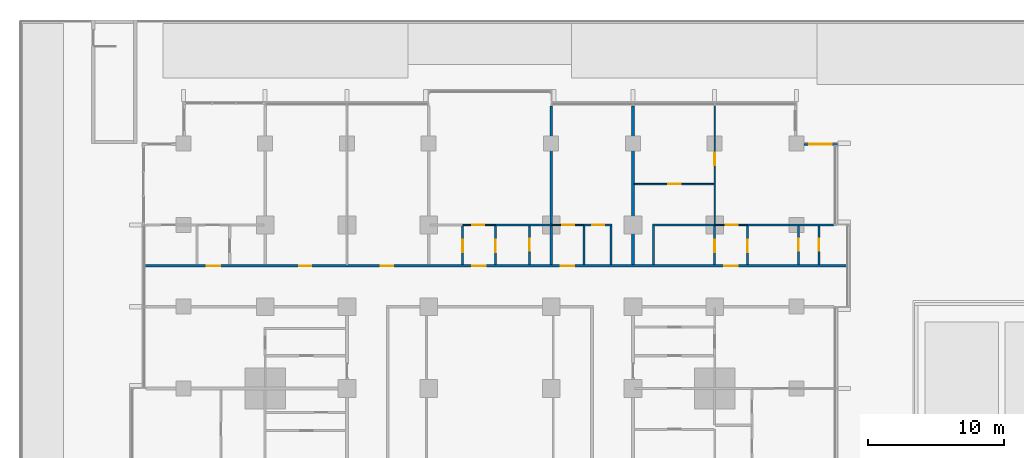
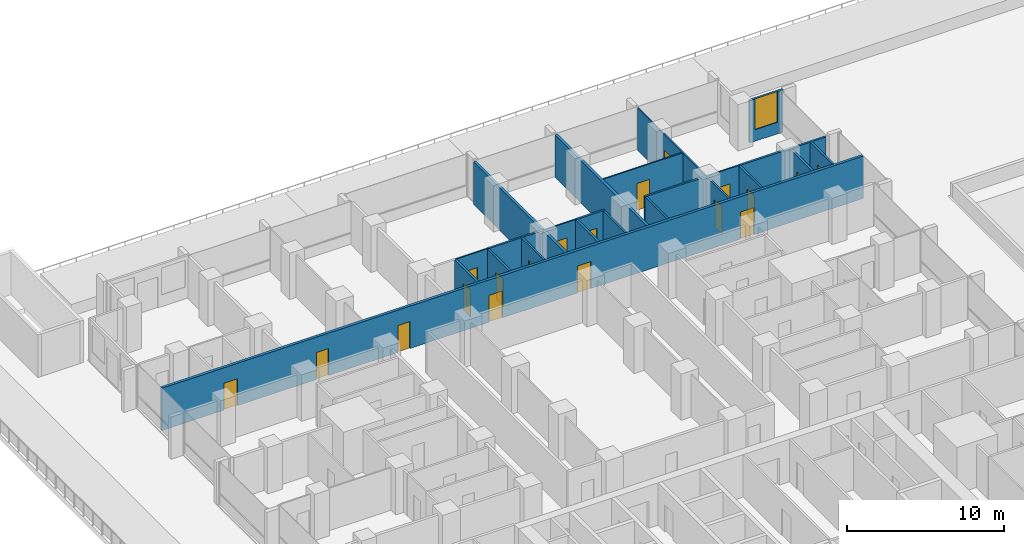
# One storey, part 15 of 25: 24 walls, 19 doors, 1 window, 20 openings.
"""IFC4 building model written with IfcOpenShell, lengths in metres."""

import ifcopenshell
import ifcopenshell.guid

model = None  # the IFC model being written
_history = None  # IfcOwnerHistory: only IFC2X3 demands one
_inside = {}  # id of a spatial element -> (the spatial element, [elements in it])
_under = {}  # id of a project, library or spatial element -> (it, [spatial elements below it])
_declared = {}  # id of a project -> (the project, [libraries it declares])
_typed = {}  # id of a type object -> (the type object, [elements of that type])
_made_of = {}  # id of a material, layer set ... -> (it, [elements and type objects made of it])


def new_model(schema):
    """Start an empty IFC model of exactly this schema.

    Asked for "IFC4X3", IfcOpenShell would pick the latest addendum, in which some entities
    have other attributes; the version numbers below select the first issue.
    IFC2X3 requires an IfcOwnerHistory on every rooted entity: one is made here for all.
    """
    global model, _history
    if schema == "IFC4X3":
        model = ifcopenshell.file(schema_version=(4, 3, 0, 0))
    else:
        model = ifcopenshell.file(schema=schema)
    _inside.clear()
    _under.clear()
    _declared.clear()
    _typed.clear()
    _made_of.clear()
    _history = None
    if model.schema == "IFC2X3":
        org = make("IfcOrganization", Name="unknown")
        user = make(
            "IfcPersonAndOrganization",
            ThePerson=make("IfcPerson", FamilyName="unknown"),
            TheOrganization=org,
        )
        app = make(
            "IfcApplication",
            ApplicationDeveloper=org,
            Version="unknown",
            ApplicationFullName="unknown",
            ApplicationIdentifier="unknown",
        )
        _history = make(
            "IfcOwnerHistory",
            OwningUser=user,
            OwningApplication=app,
            ChangeAction="ADDED",
            CreationDate=0,
        )
    return model


def make(cls, **values):
    """One entity of the class cls with the attributes given. An attribute that is None is left unset."""
    return model.create_entity(
        cls, **{name: value for name, value in values.items() if value is not None}
    )


def rooted(cls, **values):
    """An entity with a GlobalId (a new one), such as an element, a storey or a relation."""
    return make(cls, GlobalId=ifcopenshell.guid.new(), OwnerHistory=_history, **values)


def si_unit(unit_type, name, prefix=None):
    """IfcSIUnit, for example si_unit("LENGTHUNIT", "METRE", prefix="MILLI")."""
    return make("IfcSIUnit", UnitType=unit_type, Prefix=prefix, Name=name)


def assignment(units):
    """IfcUnitAssignment: the units of a project."""
    return None if units is None else make("IfcUnitAssignment", Units=units)


def point(xyz):
    """IfcCartesianPoint."""
    return None if xyz is None else make("IfcCartesianPoint", Coordinates=xyz)


def direction(xyz):
    """IfcDirection."""
    return None if xyz is None else make("IfcDirection", DirectionRatios=xyz)


def frame(location, z_axis=None, x_axis=None):
    """IfcAxis2Placement3D, a coordinate frame: its origin and axes. An axis left out is left unset."""
    return make(
        "IfcAxis2Placement3D",
        Location=point(location),
        Axis=direction(z_axis),
        RefDirection=direction(x_axis),
    )


def frame_2d(location, x_axis=None):
    """IfcAxis2Placement2D, a coordinate frame in the plane: its origin and x axis."""
    return make(
        "IfcAxis2Placement2D", Location=point(location), RefDirection=direction(x_axis)
    )


def origin():
    """The frame at (0, 0, 0) with its axes left unset."""
    return frame((0.0, 0.0, 0.0))


def place(relative_to, where):
    """IfcLocalPlacement: puts the frame where relative to a parent placement (None: the world)."""
    return make(
        "IfcLocalPlacement", PlacementRelTo=relative_to, RelativePlacement=where
    )


def context(
    kind, dimensions, precision=None, world=None, true_north=None, identifier=None
):
    """IfcGeometricRepresentationContext, for example the 3D "Model" context."""
    return make(
        "IfcGeometricRepresentationContext",
        ContextIdentifier=identifier,
        ContextType=kind,
        CoordinateSpaceDimension=dimensions,
        Precision=precision,
        WorldCoordinateSystem=world,
        TrueNorth=true_north,
    )


def subcontext(parent, identifier, kind, view, scale=None):
    """IfcGeometricRepresentationSubContext, for example "Body" below "Model"."""
    return make(
        "IfcGeometricRepresentationSubContext",
        ContextIdentifier=identifier,
        ContextType=kind,
        ParentContext=parent,
        TargetScale=scale,
        TargetView=view,
    )


def project(units=None, contexts=None):
    """IfcProject with its units and contexts."""
    return rooted(
        "IfcProject",
        Name="project",
        RepresentationContexts=contexts,
        UnitsInContext=assignment(units),
    )


def spatial(cls, under=None, at=None, **own):
    """A site, building, storey or space (cls), placed at a placement, below another one or the project."""
    s = rooted(cls, ObjectPlacement=at, **own)
    if under is not None:
        _under.setdefault(under.id(), (under, []))[1].append(s)
    return s


def profile(cls, at=None, kind="AREA", **sizes):
    """A parametric profile (cls). Its sizes go by their IFC names, for example OverallWidth=200.0."""
    return make(cls, ProfileType=kind, Position=at, **sizes)


def rectangle(**sizes):
    """IfcRectangleProfileDef."""
    return profile("IfcRectangleProfileDef", **sizes)


def extrude(swept, where, along, depth):
    """IfcExtrudedAreaSolid: the profile swept, set in the frame where, extruded along a direction by depth."""
    return make(
        "IfcExtrudedAreaSolid",
        SweptArea=swept,
        Position=where,
        ExtrudedDirection=direction(along),
        Depth=depth,
    )


def shape(context_of_items, identifier, shape_type, items):
    """IfcShapeRepresentation: the items that make up one representation, for example the "Body"."""
    return make(
        "IfcShapeRepresentation",
        ContextOfItems=context_of_items,
        RepresentationIdentifier=identifier,
        RepresentationType=shape_type,
        Items=items,
    )


def material(Name=None, Category=None):
    """IfcMaterial."""
    return make("IfcMaterial", Name=Name, Category=Category)


def layer(
    of_material, thickness, ventilated=None, Name=None, Category=None, Priority=None
):
    """IfcMaterialLayer: one layer of a wall or slab, of a material (None: an air gap)."""
    return make(
        "IfcMaterialLayer",
        Material=of_material,
        LayerThickness=thickness,
        IsVentilated=ventilated,
        Name=Name,
        Category=Category,
        Priority=Priority,
    )


def layer_set(layers, Name=None):
    """IfcMaterialLayerSet."""
    return make("IfcMaterialLayerSet", MaterialLayers=layers, LayerSetName=Name)


def made_of(thing, what):
    """Note that an element or type object is made of a material, layer set ...; save() writes the relation."""
    if what is not None:
        _made_of.setdefault(what.id(), (what, []))[1].append(thing)
    return thing


def type_object(cls, material=None, **own):
    """A type object (cls), such as IfcWallType, which elements share."""
    return made_of(rooted(cls, **own), material)


def element(
    cls,
    number,
    at=None,
    inside=None,
    cuts=None,
    type_object=None,
    material=None,
    context=None,
    identifier="Body",
    shape_type=None,
    held_by="IfcProductDefinitionShape",
    body=None,
    shapes=None,
    **own,
):
    """One element of the class cls, such as IfcWall. Its Tag is "e" and its number.

    at: its placement. inside: the storey or other place that contains it. cuts: it is an
    opening in that element (IfcRelVoidsElement). A single representation is given by context,
    identifier, shape_type and body (its items); several are given by shapes. held_by: the class
    of the entity that holds the representations. save() writes the other relations.
    """
    e = rooted(cls, Tag="e%d" % number, ObjectPlacement=at, **own)
    if body is not None:
        shapes = [shape(context, identifier, shape_type, body)]
    if shapes is not None:
        e.Representation = make(held_by, Representations=shapes)
    if inside is not None:
        _inside.setdefault(inside.id(), (inside, []))[1].append(e)
    if cuts is not None:
        rooted(
            "IfcRelVoidsElement", RelatingBuildingElement=cuts, RelatedOpeningElement=e
        )
    if type_object is not None:
        _typed.setdefault(type_object.id(), (type_object, []))[1].append(e)
    return made_of(e, material)


def fill(opening, filler):
    """IfcRelFillsElement: the door or window that sits in an opening."""
    return rooted(
        "IfcRelFillsElement",
        RelatingOpeningElement=opening,
        RelatedBuildingElement=filler,
    )


def aggregate(whole, parts):
    """IfcRelAggregates: a whole, such as a stair, and the parts it consists of."""
    return rooted("IfcRelAggregates", RelatingObject=whole, RelatedObjects=parts)


def save(model, path):
    """Write the relations noted so far, then the file.

    IfcRelAggregates (storeys below a building ...), IfcRelContainedInSpatialStructure (elements
    in a storey), IfcRelDefinesByType, IfcRelAssociatesMaterial and IfcRelDeclares: one each for
    every whole, place, type object, material and project.
    """
    for whole, parts in _under.values():
        aggregate(whole, parts)
    for where, things in _inside.values():
        rooted(
            "IfcRelContainedInSpatialStructure",
            RelatedElements=things,
            RelatingStructure=where,
        )
    for kind, things in _typed.values():
        rooted("IfcRelDefinesByType", RelatedObjects=things, RelatingType=kind)
    for what, things in _made_of.values():
        rooted("IfcRelAssociatesMaterial", RelatedObjects=things, RelatingMaterial=what)
    for by, libraries in _declared.values():
        rooted("IfcRelDeclares", RelatingContext=by, RelatedDefinitions=libraries)
    model.write(path)


model = new_model("IFC4")

# Units and contexts
model_context = context("Model", 3, precision=1e-05, world=origin(), true_north=direction((0.0, 1.0)))
body_context = subcontext(model_context, "Body", "Model", "MODEL_VIEW")
ifc_project = project(units=[si_unit("LENGTHUNIT", "METRE"), si_unit("AREAUNIT", "SQUARE_METRE"), si_unit("VOLUMEUNIT", "CUBIC_METRE"), si_unit("PLANEANGLEUNIT", "RADIAN"), si_unit("MASSUNIT", "GRAM", prefix="KILO")], contexts=[model_context])

# Site, building, storey
site_placement = place(None, origin())
site = spatial("IfcSite", under=ifc_project, at=site_placement, CompositionType="ELEMENT")
building_placement = place(site_placement, origin())
building = spatial("IfcBuilding", under=site, at=building_placement, Name="Finial Court Residences", CompositionType="ELEMENT")
storey_placement = place(building_placement, frame((0.0, 0.0, 32.5)))
storey = spatial("IfcBuildingStorey", under=building, at=storey_placement, Name="L06", CompositionType="ELEMENT", Elevation=32.5)

# Walls
ifc_material_1 = material(Name="Gypsum board")
ifc_layer_1 = layer(ifc_material_1, 0.02490234375)
ifc_material_2 = material(Name="Acoustic mineral wool in double frame")
ifc_layer_2 = layer(ifc_material_2, 0.14990234375)
ifc_layer_3 = layer(ifc_material_1, 0.02490234375)
ifc_layer_set_1 = layer_set([ifc_layer_1, ifc_layer_2, ifc_layer_3], Name="Acoustic party wall 200, 1 hour")
wall_type_1 = type_object("IfcWallType", Name="Acoustic party wall 200, 1 hour", PredefinedType="PARTITIONING", material=ifc_layer_set_1)
wall_1_placement = place(storey_placement, frame((4.5, 16.60009765625, 0.0), z_axis=(0.0, 0.0, 1.0), x_axis=(0.0, 1.0, 0.0)))
element("IfcWall", 1, at=wall_1_placement, inside=storey, type_object=wall_type_1, Name="Partition L06-069", PredefinedType="PARTITIONING", context=body_context, shape_type="SweptSolid", body=[
    extrude(rectangle(XDim=2.824951171875, YDim=0.199951171875, at=frame_2d((1.41259765625, 0.0))), origin(), (0.0, 0.0, 1.0), 3.300048828125),
])
wall_2_placement = place(storey_placement, frame((4.5, 19.574951171875, 0.0), z_axis=(0.0, 0.0, 1.0), x_axis=(0.0, 1.0, 0.0)))
element("IfcWall", 2, at=wall_2_placement, inside=storey, type_object=wall_type_1, Name="Partition L06-070", PredefinedType="PARTITIONING", context=body_context, shape_type="SweptSolid", body=[
    extrude(rectangle(XDim=8.675048828125, YDim=0.199951171875, at=frame_2d((4.33740234375, 0.0))), origin(), (0.0, 0.0, 1.0), 3.300048828125),
])
wall_3_placement = place(storey_placement, frame((10.5, 16.60009765625, 0.0), z_axis=(0.0, 0.0, 1.0), x_axis=(0.0, 1.0, 0.0)))
element("IfcWall", 3, at=wall_3_placement, inside=storey, type_object=wall_type_1, Name="Partition L06-076", PredefinedType="PARTITIONING", context=body_context, shape_type="SweptSolid", body=[
    extrude(rectangle(XDim=11.64990234375, YDim=0.199951171875, at=frame_2d((5.824951171875, 0.0))), origin(), (0.0, 0.0, 1.0), 3.300048828125),
])

# Wall, openings, doors
ifc_layer_4 = layer(ifc_material_1, 0.02490234375)
ifc_layer_5 = layer(ifc_material_2, 0.14990234375)
ifc_layer_6 = layer(ifc_material_1, 0.02490234375)
ifc_layer_set_2 = layer_set([ifc_layer_4, ifc_layer_5, ifc_layer_6], Name="Corridor wall 200, 1 hour")
wall_type_2 = type_object("IfcWallType", Name="Corridor wall 200, 1 hour", PredefinedType="PARTITIONING", material=ifc_layer_set_2)
wall_4_placement = place(storey_placement, frame((-25.35009765625, 16.5, 0.0), z_axis=(0.0, 0.0, 1.0), x_axis=(1.0, 0.0, 0.0)))
wall_4 = element("IfcWall", 4, at=wall_4_placement, inside=storey, type_object=wall_type_2, Name="Partition L06-034", PredefinedType="PARTITIONING", context=body_context, shape_type="SweptSolid", body=[
    extrude(rectangle(XDim=51.60009765625, YDim=0.199951171875, at=frame_2d((25.800048828125, 0.0))), origin(), (0.0, 0.0, 1.0), 3.300048828125),
])
opening_1_placement = place(wall_4_placement, frame((4.550048828125, 0.0, 0.0)))
opening_1 = element("IfcOpeningElement", 5, at=opening_1_placement, cuts=wall_4, Name="Opening L06-D022", PredefinedType="OPENING", context=body_context, shape_type="SweptSolid", body=[
    extrude(rectangle(XDim=1.0, YDim=2.10009765625, at=frame_2d((0.5, 1.050048828125))), frame((0.0, 0.10986328125, 0.0), z_axis=(0.0, -1.0, 0.0), x_axis=(1.0, 0.0, 0.0)), (0.0, 0.0, 1.0), 0.219970703125),
])
opening_2_placement = place(wall_4_placement, frame((11.35009765625, 0.0, 0.0)))
opening_2 = element("IfcOpeningElement", 6, at=opening_2_placement, cuts=wall_4, Name="Opening L06-D023", PredefinedType="OPENING", context=body_context, shape_type="SweptSolid", body=[
    extrude(rectangle(XDim=0.89990234375, YDim=2.10009765625, at=frame_2d((0.449951171875, 1.050048828125))), frame((0.0, 0.10986328125, 0.0), z_axis=(0.0, -1.0, 0.0), x_axis=(1.0, 0.0, 0.0)), (0.0, 0.0, 1.0), 0.219970703125),
])
opening_3_placement = place(wall_4_placement, frame((17.35009765625, 0.0, 0.0)))
opening_3 = element("IfcOpeningElement", 7, at=opening_3_placement, cuts=wall_4, Name="Opening L06-D024", PredefinedType="OPENING", context=body_context, shape_type="SweptSolid", body=[
    extrude(rectangle(XDim=0.89990234375, YDim=2.10009765625, at=frame_2d((0.449951171875, 1.050048828125))), frame((0.0, 0.10986328125, 0.0), z_axis=(0.0, -1.0, 0.0), x_axis=(1.0, 0.0, 0.0)), (0.0, 0.0, 1.0), 0.219970703125),
])
opening_4_placement = place(wall_4_placement, frame((24.050048828125, 0.0, 0.0)))
opening_4 = element("IfcOpeningElement", 8, at=opening_4_placement, cuts=wall_4, Name="Opening L06-D025", PredefinedType="OPENING", context=body_context, shape_type="SweptSolid", body=[
    extrude(rectangle(XDim=1.0, YDim=2.10009765625, at=frame_2d((0.5, 1.050048828125))), frame((0.0, 0.10986328125, 0.0), z_axis=(0.0, -1.0, 0.0), x_axis=(1.0, 0.0, 0.0)), (0.0, 0.0, 1.0), 0.219970703125),
])
opening_5_placement = place(wall_4_placement, frame((30.550048828125, 0.0, 0.0)))
opening_5 = element("IfcOpeningElement", 9, at=opening_5_placement, cuts=wall_4, Name="Opening L06-D026", PredefinedType="OPENING", context=body_context, shape_type="SweptSolid", body=[
    extrude(rectangle(XDim=1.0, YDim=2.10009765625, at=frame_2d((0.5, 1.050048828125))), frame((0.0, 0.10986328125, 0.0), z_axis=(0.0, -1.0, 0.0), x_axis=(1.0, 0.0, 0.0)), (0.0, 0.0, 1.0), 0.219970703125),
])
opening_6_placement = place(wall_4_placement, frame((42.550048828125, 0.0, 0.0)))
opening_6 = element("IfcOpeningElement", 10, at=opening_6_placement, cuts=wall_4, Name="Opening L06-D027", PredefinedType="OPENING", context=body_context, shape_type="SweptSolid", body=[
    extrude(rectangle(XDim=1.0, YDim=2.10009765625, at=frame_2d((0.5, 1.050048828125))), frame((0.0, 0.10986328125, 0.0), z_axis=(0.0, -1.0, 0.0), x_axis=(1.0, 0.0, 0.0)), (0.0, 0.0, 1.0), 0.219970703125),
])
ifc_material_3 = material(Name="Timber door leaf in hollow metal frame", Category="wood")
door_type_1 = type_object("IfcDoorType", Name="Fire door set 1000 x 2100, 30 minutes", OperationType="SINGLE_SWING_LEFT", PredefinedType="DOOR", material=ifc_material_3)
door_1_placement = place(opening_1_placement, origin())
door_1 = element("IfcDoor", 11, at=door_1_placement, inside=storey, type_object=door_type_1, Name="Door L06-D022", OperationType="SINGLE_SWING_RIGHT", OverallHeight=2.10009765625, OverallWidth=1.0, PredefinedType="DOOR", context=body_context, shape_type="SweptSolid", body=[
    extrude(rectangle(XDim=1.0, YDim=2.10009765625, at=frame_2d((0.5, 1.050048828125))), frame((0.0, 0.02490234375, 0.0), z_axis=(0.0, -1.0, 0.0), x_axis=(1.0, 0.0, 0.0)), (0.0, 0.0, 1.0), 0.050048828125),
])
fill(opening_1, door_1)
door_2_placement = place(opening_4_placement, origin())
door_2 = element("IfcDoor", 12, at=door_2_placement, inside=storey, type_object=door_type_1, Name="Door L06-D025", OperationType="SINGLE_SWING_RIGHT", OverallHeight=2.10009765625, OverallWidth=1.0, PredefinedType="DOOR", context=body_context, shape_type="SweptSolid", body=[
    extrude(rectangle(XDim=1.0, YDim=2.10009765625, at=frame_2d((0.5, 1.050048828125))), frame((0.0, 0.02490234375, 0.0), z_axis=(0.0, -1.0, 0.0), x_axis=(1.0, 0.0, 0.0)), (0.0, 0.0, 1.0), 0.050048828125),
])
fill(opening_4, door_2)
door_3_placement = place(opening_5_placement, origin())
door_3 = element("IfcDoor", 13, at=door_3_placement, inside=storey, type_object=door_type_1, Name="Door L06-D026", OperationType="SINGLE_SWING_LEFT", OverallHeight=2.10009765625, OverallWidth=1.0, PredefinedType="DOOR", context=body_context, shape_type="SweptSolid", body=[
    extrude(rectangle(XDim=1.0, YDim=2.10009765625, at=frame_2d((0.5, 1.050048828125))), frame((0.0, 0.02490234375, 0.0), z_axis=(0.0, -1.0, 0.0), x_axis=(1.0, 0.0, 0.0)), (0.0, 0.0, 1.0), 0.050048828125),
])
fill(opening_5, door_3)
door_4_placement = place(opening_6_placement, origin())
door_4 = element("IfcDoor", 14, at=door_4_placement, inside=storey, type_object=door_type_1, Name="Door L06-D027", OperationType="SINGLE_SWING_LEFT", OverallHeight=2.10009765625, OverallWidth=1.0, PredefinedType="DOOR", context=body_context, shape_type="SweptSolid", body=[
    extrude(rectangle(XDim=1.0, YDim=2.10009765625, at=frame_2d((0.5, 1.050048828125))), frame((0.0, 0.02490234375, 0.0), z_axis=(0.0, -1.0, 0.0), x_axis=(1.0, 0.0, 0.0)), (0.0, 0.0, 1.0), 0.050048828125),
])
fill(opening_6, door_4)
door_type_2 = type_object("IfcDoorType", Name="Fire door set 900 x 2100, 30 minutes", OperationType="SINGLE_SWING_LEFT", PredefinedType="DOOR", material=ifc_material_3)
door_5_placement = place(opening_2_placement, origin())
door_5 = element("IfcDoor", 15, at=door_5_placement, inside=storey, type_object=door_type_2, Name="Door L06-D023", OperationType="SINGLE_SWING_RIGHT", OverallHeight=2.10009765625, OverallWidth=0.89990234375, PredefinedType="DOOR", context=body_context, shape_type="SweptSolid", body=[
    extrude(rectangle(XDim=0.89990234375, YDim=2.10009765625, at=frame_2d((0.449951171875, 1.050048828125))), frame((0.0, 0.02490234375, 0.0), z_axis=(0.0, -1.0, 0.0), x_axis=(1.0, 0.0, 0.0)), (0.0, 0.0, 1.0), 0.050048828125),
])
fill(opening_2, door_5)
door_6_placement = place(opening_3_placement, origin())
door_6 = element("IfcDoor", 16, at=door_6_placement, inside=storey, type_object=door_type_2, Name="Door L06-D024", OperationType="SINGLE_SWING_RIGHT", OverallHeight=2.10009765625, OverallWidth=0.89990234375, PredefinedType="DOOR", context=body_context, shape_type="SweptSolid", body=[
    extrude(rectangle(XDim=0.89990234375, YDim=2.10009765625, at=frame_2d((0.449951171875, 1.050048828125))), frame((0.0, 0.02490234375, 0.0), z_axis=(0.0, -1.0, 0.0), x_axis=(1.0, 0.0, 0.0)), (0.0, 0.0, 1.0), 0.050048828125),
])
fill(opening_3, door_6)

# Wall, opening, door
ifc_layer_7 = layer(ifc_material_1, 0.012451171875)
ifc_material_4 = material(Name="Mineral wool in light-gauge frame")
ifc_layer_8 = layer(ifc_material_4, 0.074951171875)
ifc_layer_9 = layer(ifc_material_1, 0.012451171875)
ifc_layer_set_3 = layer_set([ifc_layer_7, ifc_layer_8, ifc_layer_9], Name="Gypsum board partition 100")
wall_type_3 = type_object("IfcWallType", Name="Gypsum board partition 100", PredefinedType="PARTITIONING", material=ifc_layer_set_3)
wall_5_placement = place(storey_placement, frame((-2.0, 19.5, 0.0), z_axis=(0.0, 0.0, 1.0), x_axis=(1.0, 0.0, 0.0)))
wall_5 = element("IfcWall", 17, at=wall_5_placement, inside=storey, type_object=wall_type_3, Name="Partition L06-036", PredefinedType="PARTITIONING", context=body_context, shape_type="SweptSolid", body=[
    extrude(rectangle(XDim=2.39990234375, YDim=0.10009765625, at=frame_2d((1.199951171875, 0.0))), origin(), (0.0, 0.0, 1.0), 3.300048828125),
])
opening_7_placement = place(wall_5_placement, frame((0.699951171875, 0.0, 0.0)))
opening_7 = element("IfcOpeningElement", 18, at=opening_7_placement, cuts=wall_5, Name="Opening L06-D029", PredefinedType="OPENING", context=body_context, shape_type="SweptSolid", body=[
    extrude(rectangle(XDim=0.89990234375, YDim=2.10009765625, at=frame_2d((0.449951171875, 1.050048828125))), frame((0.0, 0.06005859375, 0.0), z_axis=(0.0, -1.0, 0.0), x_axis=(1.0, 0.0, 0.0)), (0.0, 0.0, 1.0), 0.1201171875),
])
ifc_material_5 = material(Name="Timber door leaf in timber frame", Category="wood")
door_type_3 = type_object("IfcDoorType", Name="Door set 900 x 2100", OperationType="SINGLE_SWING_LEFT", PredefinedType="DOOR", material=ifc_material_5)
door_7_placement = place(opening_7_placement, origin())
door_7 = element("IfcDoor", 19, at=door_7_placement, inside=storey, type_object=door_type_3, Name="Door L06-D029", OperationType="SINGLE_SWING_RIGHT", OverallHeight=2.10009765625, OverallWidth=0.89990234375, PredefinedType="DOOR", context=body_context, shape_type="SweptSolid", body=[
    extrude(rectangle(XDim=0.89990234375, YDim=2.10009765625, at=frame_2d((0.449951171875, 1.050048828125))), frame((0.0, 0.02490234375, 0.0), z_axis=(0.0, -1.0, 0.0), x_axis=(1.0, 0.0, 0.0)), (0.0, 0.0, 1.0), 0.050048828125),
])
fill(opening_7, door_7)

wall_6_placement = place(storey_placement, frame((4.5, 19.5, 0.0), z_axis=(0.0, 0.0, 1.0), x_axis=(1.0, 0.0, 0.0)))
wall_6 = element("IfcWall", 20, at=wall_6_placement, inside=storey, type_object=wall_type_3, Name="Partition L06-037", PredefinedType="PARTITIONING", context=body_context, shape_type="SweptSolid", body=[
    extrude(rectangle(XDim=2.39990234375, YDim=0.10009765625, at=frame_2d((1.199951171875, 0.0))), origin(), (0.0, 0.0, 1.0), 3.300048828125),
])
opening_8_placement = place(wall_6_placement, frame((0.800048828125, 0.0, 0.0)))
opening_8 = element("IfcOpeningElement", 21, at=opening_8_placement, cuts=wall_6, Name="Opening L06-D030", PredefinedType="OPENING", context=body_context, shape_type="SweptSolid", body=[
    extrude(rectangle(XDim=0.89990234375, YDim=2.10009765625, at=frame_2d((0.449951171875, 1.050048828125))), frame((0.0, 0.06005859375, 0.0), z_axis=(0.0, -1.0, 0.0), x_axis=(1.0, 0.0, 0.0)), (0.0, 0.0, 1.0), 0.1201171875),
])
door_8_placement = place(opening_8_placement, origin())
door_8 = element("IfcDoor", 22, at=door_8_placement, inside=storey, type_object=door_type_3, Name="Door L06-D030", OperationType="SINGLE_SWING_LEFT", OverallHeight=2.10009765625, OverallWidth=0.89990234375, PredefinedType="DOOR", context=body_context, shape_type="SweptSolid", body=[
    extrude(rectangle(XDim=0.89990234375, YDim=2.10009765625, at=frame_2d((0.449951171875, 1.050048828125))), frame((0.0, 0.02490234375, 0.0), z_axis=(0.0, -1.0, 0.0), x_axis=(1.0, 0.0, 0.0)), (0.0, 0.0, 1.0), 0.050048828125),
])
fill(opening_8, door_8)

wall_7_placement = place(storey_placement, frame((16.5, 19.5, 0.0), z_axis=(0.0, 0.0, 1.0), x_axis=(1.0, 0.0, 0.0)))
wall_7 = element("IfcWall", 23, at=wall_7_placement, inside=storey, type_object=wall_type_3, Name="Partition L06-038", PredefinedType="PARTITIONING", context=body_context, shape_type="SweptSolid", body=[
    extrude(rectangle(XDim=2.39990234375, YDim=0.10009765625, at=frame_2d((1.199951171875, 0.0))), origin(), (0.0, 0.0, 1.0), 3.300048828125),
])
opening_9_placement = place(wall_7_placement, frame((0.800048828125, 0.0, 0.0)))
opening_9 = element("IfcOpeningElement", 24, at=opening_9_placement, cuts=wall_7, Name="Opening L06-D031", PredefinedType="OPENING", context=body_context, shape_type="SweptSolid", body=[
    extrude(rectangle(XDim=0.89990234375, YDim=2.10009765625, at=frame_2d((0.449951171875, 1.050048828125))), frame((0.0, 0.06005859375, 0.0), z_axis=(0.0, -1.0, 0.0), x_axis=(1.0, 0.0, 0.0)), (0.0, 0.0, 1.0), 0.1201171875),
])
door_9_placement = place(opening_9_placement, origin())
door_9 = element("IfcDoor", 25, at=door_9_placement, inside=storey, type_object=door_type_3, Name="Door L06-D031", OperationType="SINGLE_SWING_RIGHT", OverallHeight=2.10009765625, OverallWidth=0.89990234375, PredefinedType="DOOR", context=body_context, shape_type="SweptSolid", body=[
    extrude(rectangle(XDim=0.89990234375, YDim=2.10009765625, at=frame_2d((0.449951171875, 1.050048828125))), frame((0.0, 0.02490234375, 0.0), z_axis=(0.0, -1.0, 0.0), x_axis=(1.0, 0.0, 0.0)), (0.0, 0.0, 1.0), 0.050048828125),
])
fill(opening_9, door_9)

wall_8_placement = place(storey_placement, frame((10.60009765625, 22.5, 0.0), z_axis=(0.0, 0.0, 1.0), x_axis=(1.0, 0.0, 0.0)))
wall_8 = element("IfcWall", 26, at=wall_8_placement, inside=storey, type_object=wall_type_3, Name="Partition L06-046", PredefinedType="PARTITIONING", context=body_context, shape_type="SweptSolid", body=[
    extrude(rectangle(XDim=5.849853515625, YDim=0.10009765625, at=frame_2d((2.9248046875, 0.0))), origin(), (0.0, 0.0, 1.0), 3.300048828125),
])
opening_10_placement = place(wall_8_placement, frame((2.5, 0.0, 0.0)))
opening_10 = element("IfcOpeningElement", 27, at=opening_10_placement, cuts=wall_8, Name="Opening L06-D034", PredefinedType="OPENING", context=body_context, shape_type="SweptSolid", body=[
    extrude(rectangle(XDim=0.89990234375, YDim=2.10009765625, at=frame_2d((0.449951171875, 1.050048828125))), frame((0.0, 0.06005859375, 0.0), z_axis=(0.0, -1.0, 0.0), x_axis=(1.0, 0.0, 0.0)), (0.0, 0.0, 1.0), 0.1201171875),
])
door_10_placement = place(opening_10_placement, origin())
door_10 = element("IfcDoor", 28, at=door_10_placement, inside=storey, type_object=door_type_3, Name="Door L06-D034", OperationType="SINGLE_SWING_RIGHT", OverallHeight=2.10009765625, OverallWidth=0.89990234375, PredefinedType="DOOR", context=body_context, shape_type="SweptSolid", body=[
    extrude(rectangle(XDim=0.89990234375, YDim=2.10009765625, at=frame_2d((0.449951171875, 1.050048828125))), frame((0.0, 0.02490234375, 0.0), z_axis=(0.0, -1.0, 0.0), x_axis=(1.0, 0.0, 0.0)), (0.0, 0.0, 1.0), 0.050048828125),
])
fill(opening_10, door_10)

wall_9_placement = place(storey_placement, frame((16.5, 19.574951171875, 0.0), z_axis=(0.0, 0.0, 1.0), x_axis=(0.0, 1.0, 0.0)))
wall_9 = element("IfcWall", 29, at=wall_9_placement, inside=storey, type_object=wall_type_3, Name="Partition L06-083", PredefinedType="PARTITIONING", context=body_context, shape_type="SweptSolid", body=[
    extrude(rectangle(XDim=8.675048828125, YDim=0.10009765625, at=frame_2d((4.33740234375, 0.0))), origin(), (0.0, 0.0, 1.0), 3.300048828125),
])
opening_11_placement = place(wall_9_placement, frame((4.324951171875, 0.0, 0.0)))
opening_11 = element("IfcOpeningElement", 30, at=opening_11_placement, cuts=wall_9, Name="Opening L06-D049", PredefinedType="OPENING", context=body_context, shape_type="SweptSolid", body=[
    extrude(rectangle(XDim=0.89990234375, YDim=2.10009765625, at=frame_2d((0.449951171875, 1.050048828125))), frame((0.0, 0.06005859375, 0.0), z_axis=(0.0, -1.0, 0.0), x_axis=(1.0, 0.0, 0.0)), (0.0, 0.0, 1.0), 0.1201171875),
])
door_11_placement = place(opening_11_placement, origin())
door_11 = element("IfcDoor", 31, at=door_11_placement, inside=storey, type_object=door_type_3, Name="Door L06-D049", OperationType="SINGLE_SWING_LEFT", OverallHeight=2.10009765625, OverallWidth=0.89990234375, PredefinedType="DOOR", context=body_context, shape_type="SweptSolid", body=[
    extrude(rectangle(XDim=0.89990234375, YDim=2.10009765625, at=frame_2d((0.449951171875, 1.050048828125))), frame((0.0, 0.02490234375, 0.0), z_axis=(0.0, -1.0, 0.0), x_axis=(1.0, 0.0, 0.0)), (0.0, 0.0, 1.0), 0.050048828125),
])
fill(opening_11, door_11)

# Wall
ifc_material_6 = material(Name="Moisture-resistant gypsum board")
ifc_layer_10 = layer(ifc_material_6, 0.012451171875)
ifc_layer_11 = layer(ifc_material_4, 0.125)
ifc_layer_12 = layer(ifc_material_6, 0.012451171875)
ifc_layer_set_4 = layer_set([ifc_layer_10, ifc_layer_11, ifc_layer_12], Name="Gypsum board wet-area partition 150")
wall_type_4 = type_object("IfcWallType", Name="Gypsum board wet-area partition 150", PredefinedType="PARTITIONING", material=ifc_layer_set_4)
wall_10_placement = place(storey_placement, frame((0.39990234375, 19.5, 0.0), z_axis=(0.0, 0.0, 1.0), x_axis=(1.0, 0.0, 0.0)))
element("IfcWall", 32, at=wall_10_placement, inside=storey, type_object=wall_type_4, Name="Partition L06-042", PredefinedType="PARTITIONING", context=body_context, shape_type="SweptSolid", body=[
    extrude(rectangle(XDim=4.10009765625, YDim=0.14990234375, at=frame_2d((2.050048828125, 0.0))), origin(), (0.0, 0.0, 1.0), 3.300048828125),
])

# Wall, opening, door
wall_11_placement = place(storey_placement, frame((6.89990234375, 19.5, 0.0), z_axis=(0.0, 0.0, 1.0), x_axis=(1.0, 0.0, 0.0)))
wall_11 = element("IfcWall", 33, at=wall_11_placement, inside=storey, type_object=wall_type_4, Name="Partition L06-043", PredefinedType="PARTITIONING", context=body_context, shape_type="SweptSolid", body=[
    extrude(rectangle(XDim=2.0751953125, YDim=0.14990234375, at=frame_2d((1.03759765625, 0.0))), origin(), (0.0, 0.0, 1.0), 3.300048828125),
])
opening_12_placement = place(wall_11_placement, frame((0.60009765625, 0.0, 0.0)))
opening_12 = element("IfcOpeningElement", 34, at=opening_12_placement, cuts=wall_11, Name="Opening L06-D033", PredefinedType="OPENING", context=body_context, shape_type="SweptSolid", body=[
    extrude(rectangle(XDim=0.89990234375, YDim=2.10009765625, at=frame_2d((0.449951171875, 1.050048828125))), frame((0.0, 0.0849609375, 0.0), z_axis=(0.0, -1.0, 0.0), x_axis=(1.0, 0.0, 0.0)), (0.0, 0.0, 1.0), 0.169921875),
])
door_12_placement = place(opening_12_placement, origin())
door_12 = element("IfcDoor", 35, at=door_12_placement, inside=storey, type_object=door_type_3, Name="Door L06-D033", OperationType="SINGLE_SWING_LEFT", OverallHeight=2.10009765625, OverallWidth=0.89990234375, PredefinedType="DOOR", context=body_context, shape_type="SweptSolid", body=[
    extrude(rectangle(XDim=0.89990234375, YDim=2.10009765625, at=frame_2d((0.449951171875, 1.050048828125))), frame((0.0, 0.02490234375, 0.0), z_axis=(0.0, -1.0, 0.0), x_axis=(1.0, 0.0, 0.0)), (0.0, 0.0, 1.0), 0.050048828125),
])
fill(opening_12, door_12)

# Walls
wall_12_placement = place(storey_placement, frame((11.925048828125, 19.5, 0.0), z_axis=(0.0, 0.0, 1.0), x_axis=(1.0, 0.0, 0.0)))
element("IfcWall", 36, at=wall_12_placement, inside=storey, type_object=wall_type_4, Name="Partition L06-044", PredefinedType="PARTITIONING", context=body_context, shape_type="SweptSolid", body=[
    extrude(rectangle(XDim=4.574951171875, YDim=0.14990234375, at=frame_2d((2.28759765625, 0.0))), origin(), (0.0, 0.0, 1.0), 3.300048828125),
])
wall_13_placement = place(storey_placement, frame((18.89990234375, 19.5, 0.0), z_axis=(0.0, 0.0, 1.0), x_axis=(1.0, 0.0, 0.0)))
element("IfcWall", 37, at=wall_13_placement, inside=storey, type_object=wall_type_4, Name="Partition L06-045", PredefinedType="PARTITIONING", context=body_context, shape_type="SweptSolid", body=[
    extrude(rectangle(XDim=6.35009765625, YDim=0.14990234375, at=frame_2d((3.175048828125, 0.0))), origin(), (0.0, 0.0, 1.0), 3.300048828125),
])

# Wall, opening, door
wall_14_placement = place(storey_placement, frame((-2.0, 16.60009765625, 0.0), z_axis=(0.0, 0.0, 1.0), x_axis=(0.0, 1.0, 0.0)))
wall_14 = element("IfcWall", 38, at=wall_14_placement, inside=storey, type_object=wall_type_4, Name="Partition L06-066", PredefinedType="PARTITIONING", context=body_context, shape_type="SweptSolid", body=[
    extrude(rectangle(XDim=2.824951171875, YDim=0.14990234375, at=frame_2d((1.41259765625, 0.0))), origin(), (0.0, 0.0, 1.0), 3.300048828125),
])
opening_13_placement = place(wall_14_placement, frame((0.89990234375, 0.0, 0.0)))
opening_13 = element("IfcOpeningElement", 39, at=opening_13_placement, cuts=wall_14, Name="Opening L06-D044", PredefinedType="OPENING", context=body_context, shape_type="SweptSolid", body=[
    extrude(rectangle(XDim=0.89990234375, YDim=2.10009765625, at=frame_2d((0.449951171875, 1.050048828125))), frame((0.0, 0.0849609375, 0.0), z_axis=(0.0, -1.0, 0.0), x_axis=(1.0, 0.0, 0.0)), (0.0, 0.0, 1.0), 0.169921875),
])
door_13_placement = place(opening_13_placement, origin())
door_13 = element("IfcDoor", 40, at=door_13_placement, inside=storey, type_object=door_type_3, Name="Door L06-D044", OperationType="SINGLE_SWING_RIGHT", OverallHeight=2.10009765625, OverallWidth=0.89990234375, PredefinedType="DOOR", context=body_context, shape_type="SweptSolid", body=[
    extrude(rectangle(XDim=0.89990234375, YDim=2.10009765625, at=frame_2d((0.449951171875, 1.050048828125))), frame((0.0, 0.02490234375, 0.0), z_axis=(0.0, -1.0, 0.0), x_axis=(1.0, 0.0, 0.0)), (0.0, 0.0, 1.0), 0.050048828125),
])
fill(opening_13, door_13)

wall_15_placement = place(storey_placement, frame((0.39990234375, 16.60009765625, 0.0), z_axis=(0.0, 0.0, 1.0), x_axis=(0.0, 1.0, 0.0)))
wall_15 = element("IfcWall", 41, at=wall_15_placement, inside=storey, type_object=wall_type_4, Name="Partition L06-067", PredefinedType="PARTITIONING", context=body_context, shape_type="SweptSolid", body=[
    extrude(rectangle(XDim=2.824951171875, YDim=0.14990234375, at=frame_2d((1.41259765625, 0.0))), origin(), (0.0, 0.0, 1.0), 3.300048828125),
])
opening_14_placement = place(wall_15_placement, frame((0.89990234375, 0.0, 0.0)))
opening_14 = element("IfcOpeningElement", 42, at=opening_14_placement, cuts=wall_15, Name="Opening L06-D045", PredefinedType="OPENING", context=body_context, shape_type="SweptSolid", body=[
    extrude(rectangle(XDim=0.89990234375, YDim=2.10009765625, at=frame_2d((0.449951171875, 1.050048828125))), frame((0.0, 0.0849609375, 0.0), z_axis=(0.0, -1.0, 0.0), x_axis=(1.0, 0.0, 0.0)), (0.0, 0.0, 1.0), 0.169921875),
])
door_14_placement = place(opening_14_placement, origin())
door_14 = element("IfcDoor", 43, at=door_14_placement, inside=storey, type_object=door_type_3, Name="Door L06-D045", OperationType="SINGLE_SWING_LEFT", OverallHeight=2.10009765625, OverallWidth=0.89990234375, PredefinedType="DOOR", context=body_context, shape_type="SweptSolid", body=[
    extrude(rectangle(XDim=0.89990234375, YDim=2.10009765625, at=frame_2d((0.449951171875, 1.050048828125))), frame((0.0, 0.02490234375, 0.0), z_axis=(0.0, -1.0, 0.0), x_axis=(1.0, 0.0, 0.0)), (0.0, 0.0, 1.0), 0.050048828125),
])
fill(opening_14, door_14)

wall_16_placement = place(storey_placement, frame((2.89990234375, 16.60009765625, 0.0), z_axis=(0.0, 0.0, 1.0), x_axis=(0.0, 1.0, 0.0)))
wall_16 = element("IfcWall", 44, at=wall_16_placement, inside=storey, type_object=wall_type_4, Name="Partition L06-068", PredefinedType="PARTITIONING", context=body_context, shape_type="SweptSolid", body=[
    extrude(rectangle(XDim=2.824951171875, YDim=0.14990234375, at=frame_2d((1.41259765625, 0.0))), origin(), (0.0, 0.0, 1.0), 3.300048828125),
])
opening_15_placement = place(wall_16_placement, frame((1.0, 0.0, 0.0)))
opening_15 = element("IfcOpeningElement", 45, at=opening_15_placement, cuts=wall_16, Name="Opening L06-D046", PredefinedType="OPENING", context=body_context, shape_type="SweptSolid", body=[
    extrude(rectangle(XDim=0.89990234375, YDim=2.10009765625, at=frame_2d((0.449951171875, 1.050048828125))), frame((0.0, 0.0849609375, 0.0), z_axis=(0.0, -1.0, 0.0), x_axis=(1.0, 0.0, 0.0)), (0.0, 0.0, 1.0), 0.169921875),
])
door_15_placement = place(opening_15_placement, origin())
door_15 = element("IfcDoor", 46, at=door_15_placement, inside=storey, type_object=door_type_3, Name="Door L06-D046", OperationType="SINGLE_SWING_LEFT", OverallHeight=2.10009765625, OverallWidth=0.89990234375, PredefinedType="DOOR", context=body_context, shape_type="SweptSolid", body=[
    extrude(rectangle(XDim=0.89990234375, YDim=2.10009765625, at=frame_2d((0.449951171875, 1.050048828125))), frame((0.0, 0.02490234375, 0.0), z_axis=(0.0, -1.0, 0.0), x_axis=(1.0, 0.0, 0.0)), (0.0, 0.0, 1.0), 0.050048828125),
])
fill(opening_15, door_15)

# Walls
for number, where, z_axis, x_axis, name in (
    (47, (6.89990234375, 16.60009765625, 0.0), (0.0, 0.0, 1.0), (0.0, 1.0, 0.0), "Partition L06-072"),
    (48, (8.89990234375, 16.60009765625, 0.0), (0.0, 0.0, 1.0), (0.0, 1.0, 0.0), "Partition L06-074"),
    (49, (12.0, 16.60009765625, 0.0), (0.0, 0.0, 1.0), (0.0, 1.0, 0.0), "Partition L06-077"),
):
    element("IfcWall", number, at=place(storey_placement, frame(where, z_axis=z_axis, x_axis=x_axis)), inside=storey, type_object=wall_type_4, Name=name, PredefinedType="PARTITIONING", context=body_context, shape_type="SweptSolid", body=[
        extrude(rectangle(XDim=2.824951171875, YDim=0.14990234375, at=frame_2d((1.41259765625, 0.0))), origin(), (0.0, 0.0, 1.0), 3.300048828125),
    ])

# Wall, opening, door
wall_17_placement = place(storey_placement, frame((16.5, 16.60009765625, 0.0), z_axis=(0.0, 0.0, 1.0), x_axis=(0.0, 1.0, 0.0)))
wall_17 = element("IfcWall", 50, at=wall_17_placement, inside=storey, type_object=wall_type_4, Name="Partition L06-089", PredefinedType="PARTITIONING", context=body_context, shape_type="SweptSolid", body=[
    extrude(rectangle(XDim=2.824951171875, YDim=0.14990234375, at=frame_2d((1.41259765625, 0.0))), origin(), (0.0, 0.0, 1.0), 3.300048828125),
])
opening_16_placement = place(wall_17_placement, frame((0.89990234375, 0.0, 0.0)))
opening_16 = element("IfcOpeningElement", 51, at=opening_16_placement, cuts=wall_17, Name="Opening L06-D053", PredefinedType="OPENING", context=body_context, shape_type="SweptSolid", body=[
    extrude(rectangle(XDim=0.89990234375, YDim=2.10009765625, at=frame_2d((0.449951171875, 1.050048828125))), frame((0.0, 0.0849609375, 0.0), z_axis=(0.0, -1.0, 0.0), x_axis=(1.0, 0.0, 0.0)), (0.0, 0.0, 1.0), 0.169921875),
])
door_16_placement = place(opening_16_placement, origin())
door_16 = element("IfcDoor", 52, at=door_16_placement, inside=storey, type_object=door_type_3, Name="Door L06-D053", OperationType="SINGLE_SWING_LEFT", OverallHeight=2.10009765625, OverallWidth=0.89990234375, PredefinedType="DOOR", context=body_context, shape_type="SweptSolid", body=[
    extrude(rectangle(XDim=0.89990234375, YDim=2.10009765625, at=frame_2d((0.449951171875, 1.050048828125))), frame((0.0, 0.02490234375, 0.0), z_axis=(0.0, -1.0, 0.0), x_axis=(1.0, 0.0, 0.0)), (0.0, 0.0, 1.0), 0.050048828125),
])
fill(opening_16, door_16)

wall_18_placement = place(storey_placement, frame((18.89990234375, 16.60009765625, 0.0), z_axis=(0.0, 0.0, 1.0), x_axis=(0.0, 1.0, 0.0)))
wall_18 = element("IfcWall", 53, at=wall_18_placement, inside=storey, type_object=wall_type_4, Name="Partition L06-090", PredefinedType="PARTITIONING", context=body_context, shape_type="SweptSolid", body=[
    extrude(rectangle(XDim=2.824951171875, YDim=0.14990234375, at=frame_2d((1.41259765625, 0.0))), origin(), (0.0, 0.0, 1.0), 3.300048828125),
])
opening_17_placement = place(wall_18_placement, frame((0.89990234375, 0.0, 0.0)))
opening_17 = element("IfcOpeningElement", 54, at=opening_17_placement, cuts=wall_18, Name="Opening L06-D054", PredefinedType="OPENING", context=body_context, shape_type="SweptSolid", body=[
    extrude(rectangle(XDim=0.89990234375, YDim=2.10009765625, at=frame_2d((0.449951171875, 1.050048828125))), frame((0.0, 0.0849609375, 0.0), z_axis=(0.0, -1.0, 0.0), x_axis=(1.0, 0.0, 0.0)), (0.0, 0.0, 1.0), 0.169921875),
])
door_17_placement = place(opening_17_placement, origin())
door_17 = element("IfcDoor", 55, at=door_17_placement, inside=storey, type_object=door_type_3, Name="Door L06-D054", OperationType="SINGLE_SWING_RIGHT", OverallHeight=2.10009765625, OverallWidth=0.89990234375, PredefinedType="DOOR", context=body_context, shape_type="SweptSolid", body=[
    extrude(rectangle(XDim=0.89990234375, YDim=2.10009765625, at=frame_2d((0.449951171875, 1.050048828125))), frame((0.0, 0.02490234375, 0.0), z_axis=(0.0, -1.0, 0.0), x_axis=(1.0, 0.0, 0.0)), (0.0, 0.0, 1.0), 0.050048828125),
])
fill(opening_17, door_17)

wall_19_placement = place(storey_placement, frame((22.64990234375, 16.60009765625, 0.0), z_axis=(0.0, 0.0, 1.0), x_axis=(0.0, 1.0, 0.0)))
wall_19 = element("IfcWall", 56, at=wall_19_placement, inside=storey, type_object=wall_type_4, Name="Partition L06-096", PredefinedType="PARTITIONING", context=body_context, shape_type="SweptSolid", body=[
    extrude(rectangle(XDim=2.824951171875, YDim=0.14990234375, at=frame_2d((1.41259765625, 0.0))), origin(), (0.0, 0.0, 1.0), 3.300048828125),
])
opening_18_placement = place(wall_19_placement, frame((1.0, 0.0, 0.0)))
opening_18 = element("IfcOpeningElement", 57, at=opening_18_placement, cuts=wall_19, Name="Opening L06-D060", PredefinedType="OPENING", context=body_context, shape_type="SweptSolid", body=[
    extrude(rectangle(XDim=0.89990234375, YDim=2.10009765625, at=frame_2d((0.449951171875, 1.050048828125))), frame((0.0, 0.0849609375, 0.0), z_axis=(0.0, -1.0, 0.0), x_axis=(1.0, 0.0, 0.0)), (0.0, 0.0, 1.0), 0.169921875),
])
door_18_placement = place(opening_18_placement, origin())
door_18 = element("IfcDoor", 58, at=door_18_placement, inside=storey, type_object=door_type_3, Name="Door L06-D060", OperationType="SINGLE_SWING_LEFT", OverallHeight=2.10009765625, OverallWidth=0.89990234375, PredefinedType="DOOR", context=body_context, shape_type="SweptSolid", body=[
    extrude(rectangle(XDim=0.89990234375, YDim=2.10009765625, at=frame_2d((0.449951171875, 1.050048828125))), frame((0.0, 0.02490234375, 0.0), z_axis=(0.0, -1.0, 0.0), x_axis=(1.0, 0.0, 0.0)), (0.0, 0.0, 1.0), 0.050048828125),
])
fill(opening_18, door_18)

wall_20_placement = place(storey_placement, frame((24.14990234375, 16.60009765625, 0.0), z_axis=(0.0, 0.0, 1.0), x_axis=(0.0, 1.0, 0.0)))
wall_20 = element("IfcWall", 59, at=wall_20_placement, inside=storey, type_object=wall_type_4, Name="Partition L06-097", PredefinedType="PARTITIONING", context=body_context, shape_type="SweptSolid", body=[
    extrude(rectangle(XDim=2.824951171875, YDim=0.14990234375, at=frame_2d((1.41259765625, 0.0))), origin(), (0.0, 0.0, 1.0), 3.300048828125),
])
opening_19_placement = place(wall_20_placement, frame((1.0, 0.0, 0.0)))
opening_19 = element("IfcOpeningElement", 60, at=opening_19_placement, cuts=wall_20, Name="Opening L06-D061", PredefinedType="OPENING", context=body_context, shape_type="SweptSolid", body=[
    extrude(rectangle(XDim=0.89990234375, YDim=2.10009765625, at=frame_2d((0.449951171875, 1.050048828125))), frame((0.0, 0.0849609375, 0.0), z_axis=(0.0, -1.0, 0.0), x_axis=(1.0, 0.0, 0.0)), (0.0, 0.0, 1.0), 0.169921875),
])
door_19_placement = place(opening_19_placement, origin())
door_19 = element("IfcDoor", 61, at=door_19_placement, inside=storey, type_object=door_type_3, Name="Door L06-D061", OperationType="SINGLE_SWING_LEFT", OverallHeight=2.10009765625, OverallWidth=0.89990234375, PredefinedType="DOOR", context=body_context, shape_type="SweptSolid", body=[
    extrude(rectangle(XDim=0.89990234375, YDim=2.10009765625, at=frame_2d((0.449951171875, 1.050048828125))), frame((0.0, 0.02490234375, 0.0), z_axis=(0.0, -1.0, 0.0), x_axis=(1.0, 0.0, 0.0)), (0.0, 0.0, 1.0), 0.050048828125),
])
fill(opening_19, door_19)

# Wall, opening, window
ifc_material_7 = material(Name="Natural limestone", Category="masonry")
ifc_layer_13 = layer(ifc_material_7, 0.14990234375)
ifc_layer_set_5 = layer_set([ifc_layer_13], Name="Limestone clad wall 150")
wall_type_5 = type_object("IfcWallType", Name="Limestone clad wall 150", PredefinedType="SOLIDWALL", material=ifc_layer_set_5)
wall_21_placement = place(storey_placement, frame((23.050048828125, 25.425048828125, 0.0), z_axis=(0.0, 0.0, 1.0), x_axis=(1.0, 0.0, 0.0)))
wall_21 = element("IfcWall", 62, at=wall_21_placement, inside=storey, type_object=wall_type_5, Name="E-L06-NWN19", PredefinedType="SOLIDWALL", context=body_context, shape_type="SweptSolid", body=[
    extrude(rectangle(XDim=2.449951171875, YDim=0.14990234375, at=frame_2d((1.22509765625, 0.0))), origin(), (0.0, 0.0, 1.0), 3.300048828125),
])
opening_20_placement = place(wall_21_placement, frame((0.39990234375, 0.0, 0.89990234375)))
opening_20 = element("IfcOpeningElement", 63, at=opening_20_placement, cuts=wall_21, Name="Opening WE06-08", PredefinedType="OPENING", context=body_context, shape_type="SweptSolid", body=[
    extrude(rectangle(XDim=1.64990234375, YDim=2.39990234375, at=frame_2d((0.824951171875, 1.199951171875))), frame((0.0, 0.0849609375, 0.0), z_axis=(0.0, -1.0, 0.0), x_axis=(1.0, 0.0, 0.0)), (0.0, 0.0, 1.0), 0.169921875),
])
ifc_material_8 = material(Name="Clear low-e glass", Category="glass")
window_type = type_object("IfcWindowType", Name="Corner window 1650 x 2400", PartitioningType="SINGLE_PANEL", PredefinedType="WINDOW", material=ifc_material_8)
window_placement = place(opening_20_placement, origin())
window = element("IfcWindow", 64, at=window_placement, inside=storey, type_object=window_type, Name="E-L06-NWN19-W1", OverallHeight=2.39990234375, OverallWidth=1.64990234375, PartitioningType="SINGLE_PANEL", PredefinedType="WINDOW", context=body_context, shape_type="SweptSolid", body=[
    extrude(rectangle(XDim=1.64990234375, YDim=2.39990234375, at=frame_2d((0.824951171875, 1.199951171875))), frame((0.0, 0.030029296875, 0.0), z_axis=(0.0, -1.0, 0.0), x_axis=(1.0, 0.0, 0.0)), (0.0, 0.0, 1.0), 0.06005859375),
])
fill(opening_20, window)

save(model, "model.ifc")
